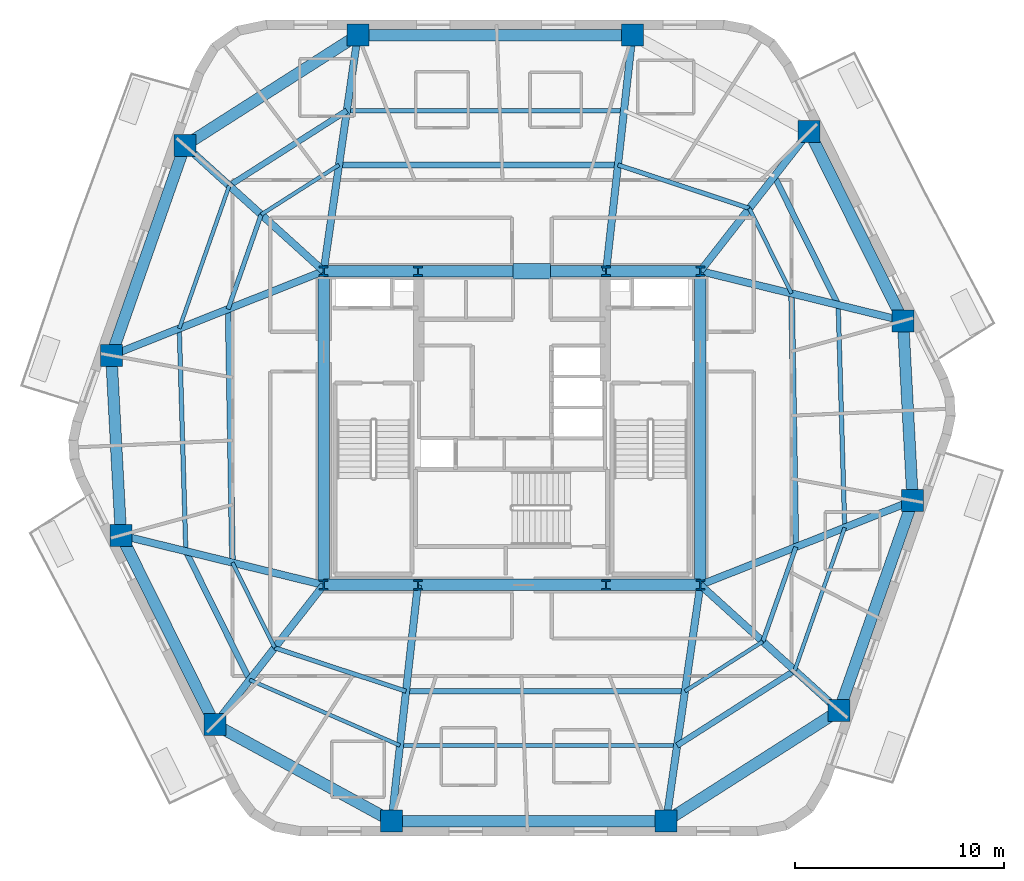
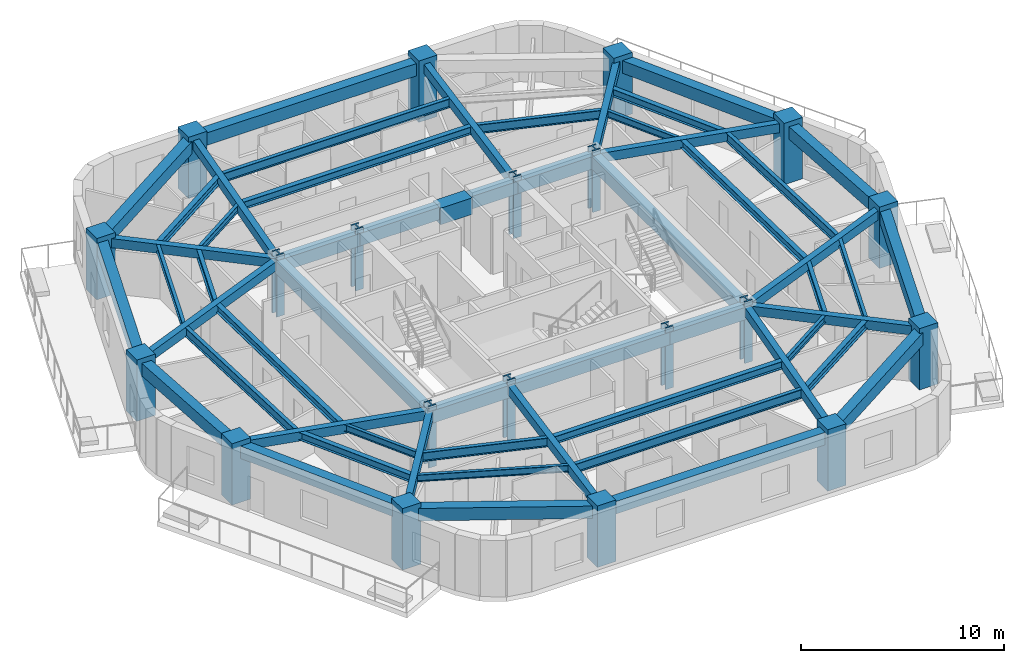
# One storey, part 1 of 10: 55 beams, 20 columns.
"""IFC4 building model written with IfcOpenShell, lengths in metres."""

from ifc_helpers import new_model, si_unit, direction, frame, origin, origin_2d, place, context, subcontext, project, spatial, rectangle, i_section, extrude, material, material_profile, profile_set, type_object, element, save


model = new_model("IFC4")

# Units and contexts
model_context = context("Model", 3, precision=1e-05, world=origin(), true_north=direction((0.0, 1.0)))
body_context = subcontext(model_context, "Body", "Model", "MODEL_VIEW")
ifc_project = project(units=[si_unit("LENGTHUNIT", "METRE"), si_unit("AREAUNIT", "SQUARE_METRE"), si_unit("VOLUMEUNIT", "CUBIC_METRE"), si_unit("PLANEANGLEUNIT", "RADIAN"), si_unit("MASSUNIT", "GRAM", prefix="KILO")], contexts=[model_context])

# Site, building, storey
site_placement = place(None, origin())
site = spatial("IfcSite", under=ifc_project, at=site_placement, CompositionType="ELEMENT")
building_placement = place(site_placement, origin())
building = spatial("IfcBuilding", under=site, at=building_placement, Name="Kilnhurst Terrace Hotel", CompositionType="ELEMENT")
storey_placement = place(building_placement, frame((0.0, 0.0, 179.300048828125)))
storey = spatial("IfcBuildingStorey", under=building, at=storey_placement, Name="L44", CompositionType="ELEMENT", Elevation=179.300048828125)

# Columns
ifc_material_1 = material(Name="Concrete C80/95", Category="concrete")
ifc_material_profile_1 = material_profile(ifc_material_1, rectangle(XDim=1.050048828125, YDim=1.050048828125, at=origin_2d()), Name="RC1050X1050")
ifc_profile_set_1 = profile_set([ifc_material_profile_1], Name="Concrete C80/95")
column_type_1 = type_object("IfcColumnType", Name="COL-RC-1050", PredefinedType="COLUMN", material=ifc_profile_set_1)
for number, where, z_axis, x_axis, name in (
    (1, (-5.7548828125, -18.780029296875, 0.0), (0.0, 0.0, 1.0), (1.0, 0.0, 0.0), "L44 Structural Column PC-F11"),
    (2, (7.368896484375, -18.780029296875, 0.0), (0.0, 0.0, 1.0), (1.0, 0.0, 0.0), "L44 Structural Column PC-F12"),
    (3, (15.633056640625, -13.5048828125, 0.0), (0.0, 0.0, 1.0), (1.0, 0.0, 0.0), "L44 Structural Column PC-F21"),
    (4, (19.14794921875, -3.467041015625, 0.0), (0.0, 0.0, 1.0), (1.0, 0.0, 0.0), "L44 Structural Column PC-F22"),
    (5, (18.68701171875, 5.1240234375, 0.0), (0.0, 0.0, 1.0), (1.0, 0.0, 0.0), "L44 Structural Column PC-F31"),
    (6, (14.2041015625, 14.166015625, 0.0), (0.0, 0.0, 1.0), (1.0, 0.0, 0.0), "L44 Structural Column PC-F32"),
    (7, (5.7548828125, 18.780029296875, 0.0), (0.0, 0.0, 1.0), (1.0, 0.0, 0.0), "L44 Structural Column PC-F41"),
    (8, (-7.368896484375, 18.780029296875, 0.0), (0.0, 0.0, 1.0), (1.0, 0.0, 0.0), "L44 Structural Column PC-F42"),
    (9, (-15.633056640625, 13.5048828125, 0.0), (0.0, 0.0, 1.0), (1.0, 0.0, 0.0), "L44 Structural Column PC-F51"),
    (10, (-19.14794921875, 3.467041015625, 0.0), (0.0, 0.0, 1.0), (1.0, 0.0, 0.0), "L44 Structural Column PC-F52"),
    (11, (-18.68701171875, -5.1240234375, 0.0), (0.0, 0.0, 1.0), (1.0, 0.0, 0.0), "L44 Structural Column PC-F61"),
    (12, (-14.2041015625, -14.166015625, 0.0), (0.0, 0.0, 1.0), (1.0, 0.0, 0.0), "L44 Structural Column PC-F62"),
):
    element("IfcColumn", number, at=place(storey_placement, frame(where, z_axis=z_axis, x_axis=x_axis)), inside=storey, type_object=column_type_1, Name=name, PredefinedType="COLUMN", context=body_context, shape_type="SweptSolid", body=[
        extrude(rectangle(XDim=1.050048828125, YDim=1.050048828125, at=origin_2d()), origin(), (0.0, 0.0, 1.0), 3.699951171875),
    ])
ifc_material_2 = material(Name="Steel ASTM A992 Grade 50", Category="steel")
ifc_material_profile_2 = material_profile(ifc_material_2, i_section(OverallWidth=0.43212890625, OverallDepth=0.497802734375, WebThickness=0.0556640625, FlangeThickness=0.0888671875, at=origin_2d()), Name="W14X500")
ifc_profile_set_2 = profile_set([ifc_material_profile_2], Name="Steel ASTM A992 Grade 50")
column_type_2 = type_object("IfcColumnType", Name="COL-STL-W14X500", PredefinedType="COLUMN", material=ifc_profile_set_2)
for number, where, z_axis, x_axis, name in (
    (13, (-9.0, -7.5, 0.0), (0.0, 0.0, 1.0), (1.0, 0.0, 0.0), "L44 Structural Column CC-SW"),
    (14, (-4.5, -7.5, 0.0), (0.0, 0.0, 1.0), (1.0, 0.0, 0.0), "L44 Structural Column CC-SC1"),
    (15, (4.5, -7.5, 0.0), (0.0, 0.0, 1.0), (1.0, 0.0, 0.0), "L44 Structural Column CC-SC2"),
    (16, (9.0, -7.5, 0.0), (0.0, 0.0, 1.0), (1.0, 0.0, 0.0), "L44 Structural Column CC-SE"),
    (17, (9.0, 7.5, 0.0), (0.0, 0.0, 1.0), (1.0, 0.0, 0.0), "L44 Structural Column CC-NE"),
    (18, (4.5, 7.5, 0.0), (0.0, 0.0, 1.0), (1.0, 0.0, 0.0), "L44 Structural Column CC-NC2"),
    (19, (-4.5, 7.5, 0.0), (0.0, 0.0, 1.0), (1.0, 0.0, 0.0), "L44 Structural Column CC-NC1"),
    (20, (-9.0, 7.5, 0.0), (0.0, 0.0, 1.0), (1.0, 0.0, 0.0), "L44 Structural Column CC-NW"),
):
    element("IfcColumn", number, at=place(storey_placement, frame(where, z_axis=z_axis, x_axis=x_axis)), inside=storey, type_object=column_type_2, Name=name, PredefinedType="COLUMN", context=body_context, shape_type="SweptSolid", body=[
        extrude(i_section(OverallWidth=0.43212890625, OverallDepth=0.497802734375, WebThickness=0.0556640625, FlangeThickness=0.0888671875, at=origin_2d()), origin(), (0.0, 0.0, 1.0), 3.699951171875),
    ])

# Beams
ifc_material_3 = material(Name="Concrete C50/60", Category="concrete")
ifc_material_profile_3 = material_profile(ifc_material_3, rectangle(XDim=0.35009765625, YDim=0.550048828125, at=origin_2d()), Name="RC350X550")
ifc_profile_set_3 = profile_set([ifc_material_profile_3], Name="Concrete C50/60")
beam_type_1 = type_object("IfcBeamType", Name="BM-RAD-350X550", PredefinedType="BEAM", material=ifc_profile_set_3)
beam_1_placement = place(storey_placement, frame((-4.5, -7.5, 3.125), z_axis=(-0.110566099441, -0.993868772854, 0.0), x_axis=(0.993868772854, -0.110566099441, 0.0)))
element("IfcBeam", 21, at=beam_1_placement, inside=storey, type_object=beam_type_1, Name="L44 Radial Floor Beam 1", PredefinedType="BEAM", context=body_context, shape_type="SweptSolid", body=[
    extrude(rectangle(XDim=0.35009765625, YDim=0.550048828125, at=origin_2d()), origin(), (0.0, 0.0, 1.0), 11.349609375),
])
beam_2_placement = place(storey_placement, frame((9.0, -7.5, 3.125), z_axis=(-0.143112538238, -0.989706421824, 0.0), x_axis=(0.989706421824, -0.143112538238, 0.0)))
element("IfcBeam", 22, at=beam_2_placement, inside=storey, type_object=beam_type_1, Name="L44 Radial Floor Beam 2", PredefinedType="BEAM", context=body_context, shape_type="SweptSolid", body=[
    extrude(rectangle(XDim=0.35009765625, YDim=0.550048828125, at=origin_2d()), origin(), (0.0, 0.0, 1.0), 11.3974609375),
])
beam_3_placement = place(storey_placement, frame((9.0, -7.5, 3.125), z_axis=(0.741338585645, -0.671131210296, 0.0), x_axis=(0.671131210296, 0.741338585645, 0.0)))
element("IfcBeam", 23, at=beam_3_placement, inside=storey, type_object=beam_type_1, Name="L44 Radial Floor Beam 3", PredefinedType="BEAM", context=body_context, shape_type="SweptSolid", body=[
    extrude(rectangle(XDim=0.35009765625, YDim=0.550048828125, at=origin_2d()), origin(), (0.0, 0.0, 1.0), 8.947509765625),
])
beam_4_placement = place(storey_placement, frame((9.0, -7.5, 3.125), z_axis=(0.929302373458, 0.369319778356, 0.0), x_axis=(-0.369319778356, 0.929302373458, 0.0)))
element("IfcBeam", 24, at=beam_4_placement, inside=storey, type_object=beam_type_1, Name="L44 Radial Floor Beam 4", PredefinedType="BEAM", context=body_context, shape_type="SweptSolid", body=[
    extrude(rectangle(XDim=0.35009765625, YDim=0.550048828125, at=origin_2d()), origin(), (0.0, 0.0, 1.0), 10.919921875),
])
beam_5_placement = place(storey_placement, frame((9.0, 7.5, 3.125), z_axis=(0.971212767405, -0.238213686486, 0.0), x_axis=(0.238213686486, 0.971212767405, 0.0)))
element("IfcBeam", 25, at=beam_5_placement, inside=storey, type_object=beam_type_1, Name="L44 Radial Floor Beam 5", PredefinedType="BEAM", context=body_context, shape_type="SweptSolid", body=[
    extrude(rectangle(XDim=0.35009765625, YDim=0.550048828125, at=origin_2d()), origin(), (0.0, 0.0, 1.0), 9.97412109375),
])
beam_6_placement = place(storey_placement, frame((9.0, 7.5, 3.125), z_axis=(0.615370616457, 0.78823791104, 0.0), x_axis=(-0.78823791104, 0.615370616457, 0.0)))
element("IfcBeam", 26, at=beam_6_placement, inside=storey, type_object=beam_type_1, Name="L44 Radial Floor Beam 6", PredefinedType="BEAM", context=body_context, shape_type="SweptSolid", body=[
    extrude(rectangle(XDim=0.35009765625, YDim=0.550048828125, at=origin_2d()), origin(), (0.0, 0.0, 1.0), 8.456787109375),
])
beam_7_placement = place(storey_placement, frame((4.5, 7.5, 3.125), z_axis=(0.110566099441, 0.993868772854, 0.0), x_axis=(-0.993868772854, 0.110566099441, 0.0)))
element("IfcBeam", 27, at=beam_7_placement, inside=storey, type_object=beam_type_1, Name="L44 Radial Floor Beam 7", PredefinedType="BEAM", context=body_context, shape_type="SweptSolid", body=[
    extrude(rectangle(XDim=0.35009765625, YDim=0.550048828125, at=origin_2d()), origin(), (0.0, 0.0, 1.0), 11.349609375),
])
beam_8_placement = place(storey_placement, frame((-9.0, 7.5, 3.125), z_axis=(0.143112538238, 0.989706421824, 0.0), x_axis=(-0.989706421824, 0.143112538238, 0.0)))
element("IfcBeam", 28, at=beam_8_placement, inside=storey, type_object=beam_type_1, Name="L44 Radial Floor Beam 8", PredefinedType="BEAM", context=body_context, shape_type="SweptSolid", body=[
    extrude(rectangle(XDim=0.35009765625, YDim=0.550048828125, at=origin_2d()), origin(), (0.0, 0.0, 1.0), 11.3974609375),
])
beam_9_placement = place(storey_placement, frame((-9.0, 7.5, 3.125), z_axis=(-0.741338585645, 0.671131210296, 0.0), x_axis=(-0.671131210296, -0.741338585645, 0.0)))
element("IfcBeam", 29, at=beam_9_placement, inside=storey, type_object=beam_type_1, Name="L44 Radial Floor Beam 9", PredefinedType="BEAM", context=body_context, shape_type="SweptSolid", body=[
    extrude(rectangle(XDim=0.35009765625, YDim=0.550048828125, at=origin_2d()), origin(), (0.0, 0.0, 1.0), 8.947509765625),
])
beam_10_placement = place(storey_placement, frame((-9.0, 7.5, 3.125), z_axis=(-0.929302373458, -0.369319778356, 0.0), x_axis=(0.369319778356, -0.929302373458, 0.0)))
element("IfcBeam", 30, at=beam_10_placement, inside=storey, type_object=beam_type_1, Name="L44 Radial Floor Beam 10", PredefinedType="BEAM", context=body_context, shape_type="SweptSolid", body=[
    extrude(rectangle(XDim=0.35009765625, YDim=0.550048828125, at=origin_2d()), origin(), (0.0, 0.0, 1.0), 10.919921875),
])
beam_11_placement = place(storey_placement, frame((-9.0, -7.5, 3.125), z_axis=(-0.971212767405, 0.238213686486, 0.0), x_axis=(-0.238213686486, -0.971212767405, 0.0)))
element("IfcBeam", 31, at=beam_11_placement, inside=storey, type_object=beam_type_1, Name="L44 Radial Floor Beam 11", PredefinedType="BEAM", context=body_context, shape_type="SweptSolid", body=[
    extrude(rectangle(XDim=0.35009765625, YDim=0.550048828125, at=origin_2d()), origin(), (0.0, 0.0, 1.0), 9.97412109375),
])
beam_12_placement = place(storey_placement, frame((-9.0, -7.5, 3.125), z_axis=(-0.615370616457, -0.78823791104, 0.0), x_axis=(0.78823791104, -0.615370616457, 0.0)))
element("IfcBeam", 32, at=beam_12_placement, inside=storey, type_object=beam_type_1, Name="L44 Radial Floor Beam 12", PredefinedType="BEAM", context=body_context, shape_type="SweptSolid", body=[
    extrude(rectangle(XDim=0.35009765625, YDim=0.550048828125, at=origin_2d()), origin(), (0.0, 0.0, 1.0), 8.456787109375),
])
ifc_material_profile_4 = material_profile(ifc_material_3, rectangle(XDim=0.550048828125, YDim=0.75, at=origin_2d()), Name="RC550X750")
ifc_profile_set_4 = profile_set([ifc_material_profile_4], Name="Concrete C50/60")
beam_type_2 = type_object("IfcBeamType", Name="BM-SPN-550X750", PredefinedType="SPANDREL", material=ifc_profile_set_4)
beam_13_placement = place(storey_placement, frame((-9.0, 7.5, 3.02490234375), z_axis=(1.0, 0.0, 0.0), x_axis=(0.0, 1.0, 0.0)))
element("IfcBeam", 33, at=beam_13_placement, inside=storey, type_object=beam_type_2, Name="L44 Core Tie Beam CC-NW to CC-NC1", PredefinedType="SPANDREL", context=body_context, shape_type="SweptSolid", body=[
    extrude(rectangle(XDim=0.550048828125, YDim=0.75, at=origin_2d()), origin(), (0.0, 0.0, 1.0), 4.5),
])
beam_14_placement = place(storey_placement, frame((-4.5, 7.5, 3.02490234375), z_axis=(1.0, 0.0, 0.0), x_axis=(0.0, 1.0, 0.0)))
element("IfcBeam", 34, at=beam_14_placement, inside=storey, type_object=beam_type_2, Name="L44 Core Tie Beam CC-NC1 to CC-NC2", PredefinedType="SPANDREL", context=body_context, shape_type="SweptSolid", body=[
    extrude(rectangle(XDim=0.550048828125, YDim=0.75, at=origin_2d()), origin(), (0.0, 0.0, 1.0), 9.0),
])
for number, where, z_axis, x_axis, name in (
    (35, (4.5, 7.5, 3.02490234375), (1.0, 0.0, 0.0), (0.0, 1.0, 0.0), "L44 Core Tie Beam CC-NC2 to CC-NE"),
    (36, (-9.0, -7.5, 3.02490234375), (1.0, 0.0, 0.0), (0.0, 1.0, 0.0), "L44 Core Tie Beam CC-SW to CC-SC1"),
):
    element("IfcBeam", number, at=place(storey_placement, frame(where, z_axis=z_axis, x_axis=x_axis)), inside=storey, type_object=beam_type_2, Name=name, PredefinedType="SPANDREL", context=body_context, shape_type="SweptSolid", body=[
        extrude(rectangle(XDim=0.550048828125, YDim=0.75, at=origin_2d()), origin(), (0.0, 0.0, 1.0), 4.5),
    ])
beam_15_placement = place(storey_placement, frame((-4.5, -7.5, 3.02490234375), z_axis=(1.0, 0.0, 0.0), x_axis=(0.0, 1.0, 0.0)))
element("IfcBeam", 37, at=beam_15_placement, inside=storey, type_object=beam_type_2, Name="L44 Core Tie Beam CC-SC1 to CC-SC2", PredefinedType="SPANDREL", context=body_context, shape_type="SweptSolid", body=[
    extrude(rectangle(XDim=0.550048828125, YDim=0.75, at=origin_2d()), origin(), (0.0, 0.0, 1.0), 9.0),
])
beam_16_placement = place(storey_placement, frame((4.5, -7.5, 3.02490234375), z_axis=(1.0, 0.0, 0.0), x_axis=(0.0, 1.0, 0.0)))
element("IfcBeam", 38, at=beam_16_placement, inside=storey, type_object=beam_type_2, Name="L44 Core Tie Beam CC-SC2 to CC-SE", PredefinedType="SPANDREL", context=body_context, shape_type="SweptSolid", body=[
    extrude(rectangle(XDim=0.550048828125, YDim=0.75, at=origin_2d()), origin(), (0.0, 0.0, 1.0), 4.5),
])
for number, where, z_axis, x_axis, name in (
    (39, (-9.0, -7.5, 3.02490234375), (0.0, 1.0, 0.0), (-1.0, 0.0, 0.0), "L44 Core Tie Beam CC-SW to CC-NW"),
    (40, (9.0, -7.5, 3.02490234375), (0.0, 1.0, 0.0), (-1.0, 0.0, 0.0), "L44 Core Tie Beam CC-SE to CC-NE"),
):
    element("IfcBeam", number, at=place(storey_placement, frame(where, z_axis=z_axis, x_axis=x_axis)), inside=storey, type_object=beam_type_2, Name=name, PredefinedType="SPANDREL", context=body_context, shape_type="SweptSolid", body=[
        extrude(rectangle(XDim=0.550048828125, YDim=0.75, at=origin_2d()), origin(), (0.0, 0.0, 1.0), 15.0),
    ])
beam_17_placement = place(storey_placement, frame((-5.7548828125, -18.780029296875, 3.02490234375), z_axis=(1.0, 0.0, 0.0), x_axis=(0.0, 1.0, 0.0)))
element("IfcBeam", 41, at=beam_17_placement, inside=storey, type_object=beam_type_2, Name="L44 Perimeter Spandrel Beam 1", PredefinedType="SPANDREL", context=body_context, shape_type="SweptSolid", body=[
    extrude(rectangle(XDim=0.550048828125, YDim=0.75, at=origin_2d()), origin(), (0.0, 0.0, 1.0), 13.123779296875),
])
beam_18_placement = place(storey_placement, frame((7.368896484375, -18.780029296875, 3.02490234375), z_axis=(0.842915241256, 0.538046369803, 0.0), x_axis=(-0.538046369803, 0.842915241256, 0.0)))
element("IfcBeam", 42, at=beam_18_placement, inside=storey, type_object=beam_type_2, Name="L44 Perimeter Spandrel Beam 2", PredefinedType="SPANDREL", context=body_context, shape_type="SweptSolid", body=[
    extrude(rectangle(XDim=0.550048828125, YDim=0.75, at=origin_2d()), origin(), (0.0, 0.0, 1.0), 9.80419921875),
])
beam_19_placement = place(storey_placement, frame((15.633056640625, -13.5048828125, 3.02490234375), z_axis=(0.330488460168, 0.943810032632, 0.0), x_axis=(-0.943810032632, 0.330488460168, 0.0)))
element("IfcBeam", 43, at=beam_19_placement, inside=storey, type_object=beam_type_2, Name="L44 Perimeter Spandrel Beam 3", PredefinedType="SPANDREL", context=body_context, shape_type="SweptSolid", body=[
    extrude(rectangle(XDim=0.550048828125, YDim=0.75, at=origin_2d()), origin(), (0.0, 0.0, 1.0), 10.635498046875),
])
beam_20_placement = place(storey_placement, frame((19.14794921875, -3.467041015625, 3.02490234375), z_axis=(-0.053576072051, 0.998563770875, 0.0), x_axis=(-0.998563770875, -0.053576072051, 0.0)))
element("IfcBeam", 44, at=beam_20_placement, inside=storey, type_object=beam_type_2, Name="L44 Perimeter Spandrel Beam 4", PredefinedType="SPANDREL", context=body_context, shape_type="SweptSolid", body=[
    extrude(rectangle(XDim=0.550048828125, YDim=0.75, at=origin_2d()), origin(), (0.0, 0.0, 1.0), 8.603515625),
])
beam_21_placement = place(storey_placement, frame((18.68701171875, 5.1240234375, 3.02490234375), z_axis=(-0.444192032261, 0.895931603682, 0.0), x_axis=(-0.895931603682, -0.444192032261, 0.0)))
element("IfcBeam", 45, at=beam_21_placement, inside=storey, type_object=beam_type_2, Name="L44 Perimeter Spandrel Beam 5", PredefinedType="SPANDREL", context=body_context, shape_type="SweptSolid", body=[
    extrude(rectangle(XDim=0.550048828125, YDim=0.75, at=origin_2d()), origin(), (0.0, 0.0, 1.0), 10.09228515625),
])
beam_22_placement = place(storey_placement, frame((5.7548828125, 18.780029296875, 3.02490234375), z_axis=(-1.0, 0.0, 0.0), x_axis=(0.0, -1.0, 0.0)))
element("IfcBeam", 46, at=beam_22_placement, inside=storey, type_object=beam_type_2, Name="L44 Perimeter Spandrel Beam 7", PredefinedType="SPANDREL", context=body_context, shape_type="SweptSolid", body=[
    extrude(rectangle(XDim=0.550048828125, YDim=0.75, at=origin_2d()), origin(), (0.0, 0.0, 1.0), 13.123779296875),
])
beam_23_placement = place(storey_placement, frame((-7.368896484375, 18.780029296875, 3.02490234375), z_axis=(-0.842915241256, -0.538046369803, 0.0), x_axis=(0.538046369803, -0.842915241256, 0.0)))
element("IfcBeam", 47, at=beam_23_placement, inside=storey, type_object=beam_type_2, Name="L44 Perimeter Spandrel Beam 8", PredefinedType="SPANDREL", context=body_context, shape_type="SweptSolid", body=[
    extrude(rectangle(XDim=0.550048828125, YDim=0.75, at=origin_2d()), origin(), (0.0, 0.0, 1.0), 9.80419921875),
])
beam_24_placement = place(storey_placement, frame((-15.633056640625, 13.5048828125, 3.02490234375), z_axis=(-0.330488460168, -0.943810032632, 0.0), x_axis=(0.943810032632, -0.330488460168, 0.0)))
element("IfcBeam", 48, at=beam_24_placement, inside=storey, type_object=beam_type_2, Name="L44 Perimeter Spandrel Beam 9", PredefinedType="SPANDREL", context=body_context, shape_type="SweptSolid", body=[
    extrude(rectangle(XDim=0.550048828125, YDim=0.75, at=origin_2d()), origin(), (0.0, 0.0, 1.0), 10.635498046875),
])
beam_25_placement = place(storey_placement, frame((-19.14794921875, 3.467041015625, 3.02490234375), z_axis=(0.053576072051, -0.998563770875, 0.0), x_axis=(0.998563770875, 0.053576072051, 0.0)))
element("IfcBeam", 49, at=beam_25_placement, inside=storey, type_object=beam_type_2, Name="L44 Perimeter Spandrel Beam 10", PredefinedType="SPANDREL", context=body_context, shape_type="SweptSolid", body=[
    extrude(rectangle(XDim=0.550048828125, YDim=0.75, at=origin_2d()), origin(), (0.0, 0.0, 1.0), 8.603515625),
])
beam_26_placement = place(storey_placement, frame((-18.68701171875, -5.1240234375, 3.02490234375), z_axis=(0.444192032261, -0.895931603682, 0.0), x_axis=(0.895931603682, 0.444192032261, 0.0)))
element("IfcBeam", 50, at=beam_26_placement, inside=storey, type_object=beam_type_2, Name="L44 Perimeter Spandrel Beam 11", PredefinedType="SPANDREL", context=body_context, shape_type="SweptSolid", body=[
    extrude(rectangle(XDim=0.550048828125, YDim=0.75, at=origin_2d()), origin(), (0.0, 0.0, 1.0), 10.09228515625),
])
beam_27_placement = place(storey_placement, frame((-14.2041015625, -14.166015625, 3.02490234375), z_axis=(0.87766189723, -0.479280287672, 0.0), x_axis=(0.479280287672, 0.87766189723, 0.0)))
element("IfcBeam", 51, at=beam_27_placement, inside=storey, type_object=beam_type_2, Name="L44 Perimeter Spandrel Beam 12", PredefinedType="SPANDREL", context=body_context, shape_type="SweptSolid", body=[
    extrude(rectangle(XDim=0.550048828125, YDim=0.75, at=origin_2d()), origin(), (0.0, 0.0, 1.0), 9.626953125),
])
ifc_material_profile_5 = material_profile(ifc_material_2, i_section(OverallWidth=0.180908203125, OverallDepth=0.417236328125, WebThickness=0.010986328125, FlangeThickness=0.018310546875, at=origin_2d()), Name="W16X57")
ifc_profile_set_5 = profile_set([ifc_material_profile_5], Name="Steel ASTM A992 Grade 50")
beam_type_3 = type_object("IfcBeamType", Name="JST-STL-W16X57", PredefinedType="JOIST", material=ifc_profile_set_5)
for number, where, z_axis, x_axis, name in (
    (52, (13.510498046875, -11.58349609375, 3.19091796875), (0.330481239411, 0.943812561051, 0.0), (-0.943812561051, 0.330481239411, 0.0), "L44 Secondary Floor Steel Joist OUT.3"),
    (53, (-13.510498046875, 11.58349609375, 3.19091796875), (-0.330481239411, -0.943812561051, 0.0), (0.943812561051, -0.330481239411, 0.0), "L44 Secondary Floor Steel Joist OUT.9"),
):
    element("IfcBeam", number, at=place(storey_placement, frame(where, z_axis=z_axis, x_axis=x_axis)), inside=storey, type_object=beam_type_3, Name=name, PredefinedType="JOIST", context=body_context, shape_type="SweptSolid", body=[
        extrude(i_section(OverallWidth=0.180908203125, OverallDepth=0.417236328125, WebThickness=0.010986328125, FlangeThickness=0.018310546875, at=origin_2d()), origin(), (0.0, 0.0, 1.0), 7.232177734375),
    ])
beam_28_placement = place(storey_placement, frame((-12.538818359375, -12.032958984375, 3.19091796875), z_axis=(0.916443679054, -0.400163695407, 0.0), x_axis=(0.400163695407, 0.916443679054, 0.0)))
element("IfcBeam", 54, at=beam_28_placement, inside=storey, type_object=beam_type_3, Name="L44 Secondary Floor Steel Joist OUT.12", PredefinedType="JOIST", context=body_context, shape_type="SweptSolid", body=[
    extrude(i_section(OverallWidth=0.180908203125, OverallDepth=0.417236328125, WebThickness=0.010986328125, FlangeThickness=0.018310546875, at=origin_2d()), origin(), (0.0, 0.0, 1.0), 7.84033203125),
])
beam_29_placement = place(storey_placement, frame((8.26611328125, -12.575927734375, 3.19091796875), z_axis=(0.842910995806, 0.53805302076, 0.0), x_axis=(-0.53805302076, 0.842910995806, 0.0)))
element("IfcBeam", 55, at=beam_29_placement, inside=storey, type_object=beam_type_3, Name="L44 Secondary Floor Steel Joist IN.2", PredefinedType="JOIST", context=body_context, shape_type="SweptSolid", body=[
    extrude(i_section(OverallWidth=0.180908203125, OverallDepth=0.417236328125, WebThickness=0.010986328125, FlangeThickness=0.018310546875, at=origin_2d()), origin(), (0.0, 0.0, 1.0), 4.411865234375),
])
beam_30_placement = place(storey_placement, frame((13.359130859375, 6.430908203125, 3.19091796875), z_axis=(-0.444200626094, 0.895927342912, 0.0), x_axis=(-0.895927342912, -0.444200626094, 0.0)))
element("IfcBeam", 56, at=beam_30_placement, inside=storey, type_object=beam_type_3, Name="L44 Secondary Floor Steel Joist IN.5", PredefinedType="JOIST", context=body_context, shape_type="SweptSolid", body=[
    extrude(i_section(OverallWidth=0.180908203125, OverallDepth=0.417236328125, WebThickness=0.010986328125, FlangeThickness=0.018310546875, at=origin_2d()), origin(), (0.0, 0.0, 1.0), 4.54150390625),
])
beam_31_placement = place(storey_placement, frame((-8.26611328125, 12.575927734375, 3.19091796875), z_axis=(-0.842910995806, -0.53805302076, 0.0), x_axis=(0.53805302076, -0.842910995806, 0.0)))
element("IfcBeam", 57, at=beam_31_placement, inside=storey, type_object=beam_type_3, Name="L44 Secondary Floor Steel Joist IN.8", PredefinedType="JOIST", context=body_context, shape_type="SweptSolid", body=[
    extrude(i_section(OverallWidth=0.180908203125, OverallDepth=0.417236328125, WebThickness=0.010986328125, FlangeThickness=0.018310546875, at=origin_2d()), origin(), (0.0, 0.0, 1.0), 4.411865234375),
])
beam_32_placement = place(storey_placement, frame((-13.359130859375, -6.430908203125, 3.19091796875), z_axis=(0.444200626094, -0.895927342912, 0.0), x_axis=(0.895927342912, 0.444200626094, 0.0)))
element("IfcBeam", 58, at=beam_32_placement, inside=storey, type_object=beam_type_3, Name="L44 Secondary Floor Steel Joist IN.11", PredefinedType="JOIST", context=body_context, shape_type="SweptSolid", body=[
    extrude(i_section(OverallWidth=0.180908203125, OverallDepth=0.417236328125, WebThickness=0.010986328125, FlangeThickness=0.018310546875, at=origin_2d()), origin(), (0.0, 0.0, 1.0), 4.54150390625),
])
ifc_material_profile_6 = material_profile(ifc_material_2, i_section(OverallWidth=0.279296875, OverallDepth=0.462890625, WebThickness=0.0107421875, FlangeThickness=0.017333984375, at=origin_2d()), Name="W18X76")
ifc_profile_set_6 = profile_set([ifc_material_profile_6], Name="Steel ASTM A992 Grade 50")
beam_type_4 = type_object("IfcBeamType", Name="JST-STL-W18X76", PredefinedType="JOIST", material=ifc_profile_set_6)
beam_33_placement = place(storey_placement, frame((7.890869140625, -15.17041015625, 3.16796875), z_axis=(0.842927863369, 0.538026595213, 0.0), x_axis=(-0.538026595213, 0.842927863369, 0.0)))
element("IfcBeam", 59, at=beam_33_placement, inside=storey, type_object=beam_type_4, Name="L44 Secondary Floor Steel Joist OUT.2", PredefinedType="JOIST", context=body_context, shape_type="SweptSolid", body=[
    extrude(i_section(OverallWidth=0.279296875, OverallDepth=0.462890625, WebThickness=0.0107421875, FlangeThickness=0.017333984375, at=origin_2d()), origin(), (0.0, 0.0, 1.0), 6.666748046875),
])
beam_34_placement = place(storey_placement, frame((15.587158203125, 5.88427734375, 3.16796875), z_axis=(-0.444180101574, 0.895937518673, 0.0), x_axis=(-0.895937518673, -0.444180101574, 0.0)))
element("IfcBeam", 60, at=beam_34_placement, inside=storey, type_object=beam_type_4, Name="L44 Secondary Floor Steel Joist OUT.5", PredefinedType="JOIST", context=body_context, shape_type="SweptSolid", body=[
    extrude(i_section(OverallWidth=0.279296875, OverallDepth=0.462890625, WebThickness=0.0107421875, FlangeThickness=0.017333984375, at=origin_2d()), origin(), (0.0, 0.0, 1.0), 6.86279296875),
])
beam_35_placement = place(storey_placement, frame((-7.890869140625, 15.17041015625, 3.16796875), z_axis=(-0.842927863369, -0.538026595213, 0.0), x_axis=(0.538026595213, -0.842927863369, 0.0)))
element("IfcBeam", 61, at=beam_35_placement, inside=storey, type_object=beam_type_4, Name="L44 Secondary Floor Steel Joist OUT.8", PredefinedType="JOIST", context=body_context, shape_type="SweptSolid", body=[
    extrude(i_section(OverallWidth=0.279296875, OverallDepth=0.462890625, WebThickness=0.0107421875, FlangeThickness=0.017333984375, at=origin_2d()), origin(), (0.0, 0.0, 1.0), 6.666748046875),
])
beam_36_placement = place(storey_placement, frame((-15.587158203125, -5.88427734375, 3.16796875), z_axis=(0.444180101574, -0.895937518673, 0.0), x_axis=(0.895937518673, 0.444180101574, 0.0)))
element("IfcBeam", 62, at=beam_36_placement, inside=storey, type_object=beam_type_4, Name="L44 Secondary Floor Steel Joist OUT.11", PredefinedType="JOIST", context=body_context, shape_type="SweptSolid", body=[
    extrude(i_section(OverallWidth=0.279296875, OverallDepth=0.462890625, WebThickness=0.0107421875, FlangeThickness=0.017333984375, at=origin_2d()), origin(), (0.0, 0.0, 1.0), 6.86279296875),
])
beam_37_placement = place(storey_placement, frame((-5.064697265625, -12.575927734375, 3.16796875), z_axis=(1.0, 0.0, 0.0), x_axis=(0.0, 1.0, 0.0)))
element("IfcBeam", 63, at=beam_37_placement, inside=storey, type_object=beam_type_4, Name="L44 Secondary Floor Steel Joist IN.1", PredefinedType="JOIST", context=body_context, shape_type="SweptSolid", body=[
    extrude(i_section(OverallWidth=0.279296875, OverallDepth=0.462890625, WebThickness=0.0107421875, FlangeThickness=0.017333984375, at=origin_2d()), origin(), (0.0, 0.0, 1.0), 13.330810546875),
])
beam_38_placement = place(storey_placement, frame((13.566650390625, -5.685302734375, 3.16796875), z_axis=(-0.017124916462, 0.999853357866, 0.0), x_axis=(-0.999853357866, -0.017124916462, 0.0)))
element("IfcBeam", 64, at=beam_38_placement, inside=storey, type_object=beam_type_4, Name="L44 Secondary Floor Steel Joist IN.4", PredefinedType="JOIST", context=body_context, shape_type="SweptSolid", body=[
    extrude(i_section(OverallWidth=0.279296875, OverallDepth=0.462890625, WebThickness=0.0107421875, FlangeThickness=0.017333984375, at=origin_2d()), origin(), (0.0, 0.0, 1.0), 12.117919921875),
])
beam_39_placement = place(storey_placement, frame((5.064697265625, 12.575927734375, 3.16796875), z_axis=(-1.0, 0.0, 0.0), x_axis=(0.0, -1.0, 0.0)))
element("IfcBeam", 65, at=beam_39_placement, inside=storey, type_object=beam_type_4, Name="L44 Secondary Floor Steel Joist IN.7", PredefinedType="JOIST", context=body_context, shape_type="SweptSolid", body=[
    extrude(i_section(OverallWidth=0.279296875, OverallDepth=0.462890625, WebThickness=0.0107421875, FlangeThickness=0.017333984375, at=origin_2d()), origin(), (0.0, 0.0, 1.0), 13.330810546875),
])
beam_40_placement = place(storey_placement, frame((-13.566650390625, 5.685302734375, 3.16796875), z_axis=(0.017124916462, -0.999853357866, 0.0), x_axis=(0.999853357866, 0.017124916462, 0.0)))
element("IfcBeam", 66, at=beam_40_placement, inside=storey, type_object=beam_type_4, Name="L44 Secondary Floor Steel Joist IN.10", PredefinedType="JOIST", context=body_context, shape_type="SweptSolid", body=[
    extrude(i_section(OverallWidth=0.279296875, OverallDepth=0.462890625, WebThickness=0.0107421875, FlangeThickness=0.017333984375, at=origin_2d()), origin(), (0.0, 0.0, 1.0), 12.117919921875),
])
ifc_material_profile_7 = material_profile(ifc_material_2, i_section(OverallWidth=0.2138671875, OverallDepth=0.549072265625, WebThickness=0.0146484375, FlangeThickness=0.023681640625, at=origin_2d()), Name="W21X93")
ifc_profile_set_7 = profile_set([ifc_material_profile_7], Name="Steel ASTM A992 Grade 50")
beam_type_5 = type_object("IfcBeamType", Name="JST-STL-W21X93", PredefinedType="JOIST", material=ifc_profile_set_7)
beam_41_placement = place(storey_placement, frame((-5.353515625, -15.17041015625, 3.125), z_axis=(1.0, 0.0, 0.0), x_axis=(0.0, 1.0, 0.0)))
element("IfcBeam", 67, at=beam_41_placement, inside=storey, type_object=beam_type_5, Name="L44 Secondary Floor Steel Joist OUT.1", PredefinedType="JOIST", context=body_context, shape_type="SweptSolid", body=[
    extrude(i_section(OverallWidth=0.2138671875, OverallDepth=0.549072265625, WebThickness=0.0146484375, FlangeThickness=0.023681640625, at=origin_2d()), origin(), (0.0, 0.0, 1.0), 13.244384765625),
])
beam_42_placement = place(storey_placement, frame((15.900634765625, -4.757568359375, 3.125), z_axis=(-0.029444201298, 0.999566425512, 0.0), x_axis=(-0.999566425512, -0.029444201298, 0.0)))
element("IfcBeam", 68, at=beam_42_placement, inside=storey, type_object=beam_type_5, Name="L44 Secondary Floor Steel Joist OUT.4", PredefinedType="JOIST", context=body_context, shape_type="SweptSolid", body=[
    extrude(i_section(OverallWidth=0.2138671875, OverallDepth=0.549072265625, WebThickness=0.0146484375, FlangeThickness=0.023681640625, at=origin_2d()), origin(), (0.0, 0.0, 1.0), 10.646484375),
])
beam_43_placement = place(storey_placement, frame((5.353515625, 15.17041015625, 3.125), z_axis=(-1.0, 0.0, 0.0), x_axis=(0.0, -1.0, 0.0)))
element("IfcBeam", 69, at=beam_43_placement, inside=storey, type_object=beam_type_5, Name="L44 Secondary Floor Steel Joist OUT.7", PredefinedType="JOIST", context=body_context, shape_type="SweptSolid", body=[
    extrude(i_section(OverallWidth=0.2138671875, OverallDepth=0.549072265625, WebThickness=0.0146484375, FlangeThickness=0.023681640625, at=origin_2d()), origin(), (0.0, 0.0, 1.0), 13.244384765625),
])
beam_44_placement = place(storey_placement, frame((-15.900634765625, 4.757568359375, 3.125), z_axis=(0.029444201298, -0.999566425512, 0.0), x_axis=(0.999566425512, 0.029444201298, 0.0)))
element("IfcBeam", 70, at=beam_44_placement, inside=storey, type_object=beam_type_5, Name="L44 Secondary Floor Steel Joist OUT.10", PredefinedType="JOIST", context=body_context, shape_type="SweptSolid", body=[
    extrude(i_section(OverallWidth=0.2138671875, OverallDepth=0.549072265625, WebThickness=0.0146484375, FlangeThickness=0.023681640625, at=origin_2d()), origin(), (0.0, 0.0, 1.0), 10.646484375),
])
beam_45_placement = place(storey_placement, frame((11.98486328125, -10.2021484375, 3.125), z_axis=(0.330516298629, 0.943800284139, 0.0), x_axis=(-0.943800284139, 0.330516298629, 0.0)))
element("IfcBeam", 71, at=beam_45_placement, inside=storey, type_object=beam_type_5, Name="L44 Secondary Floor Steel Joist IN.3", PredefinedType="JOIST", context=body_context, shape_type="SweptSolid", body=[
    extrude(i_section(OverallWidth=0.2138671875, OverallDepth=0.549072265625, WebThickness=0.0146484375, FlangeThickness=0.023681640625, at=origin_2d()), origin(), (0.0, 0.0, 1.0), 4.785888671875),
])
beam_46_placement = place(storey_placement, frame((11.341796875, 10.499755859375, 3.125), z_axis=(-0.949415572736, 0.314022404051, 0.0), x_axis=(-0.314022404051, -0.949415572736, 0.0)))
element("IfcBeam", 72, at=beam_46_placement, inside=storey, type_object=beam_type_5, Name="L44 Secondary Floor Steel Joist IN.6", PredefinedType="JOIST", context=body_context, shape_type="SweptSolid", body=[
    extrude(i_section(OverallWidth=0.2138671875, OverallDepth=0.549072265625, WebThickness=0.0146484375, FlangeThickness=0.023681640625, at=origin_2d()), origin(), (0.0, 0.0, 1.0), 6.611572265625),
])
beam_47_placement = place(storey_placement, frame((-11.98486328125, 10.2021484375, 3.125), z_axis=(-0.330516298629, -0.943800284139, 0.0), x_axis=(0.943800284139, -0.330516298629, 0.0)))
element("IfcBeam", 73, at=beam_47_placement, inside=storey, type_object=beam_type_5, Name="L44 Secondary Floor Steel Joist IN.9", PredefinedType="JOIST", context=body_context, shape_type="SweptSolid", body=[
    extrude(i_section(OverallWidth=0.2138671875, OverallDepth=0.549072265625, WebThickness=0.0146484375, FlangeThickness=0.023681640625, at=origin_2d()), origin(), (0.0, 0.0, 1.0), 4.785888671875),
])
beam_48_placement = place(storey_placement, frame((-11.341796875, -10.499755859375, 3.125), z_axis=(0.949415572736, -0.314022404051, 0.0), x_axis=(0.314022404051, 0.949415572736, 0.0)))
element("IfcBeam", 74, at=beam_48_placement, inside=storey, type_object=beam_type_5, Name="L44 Secondary Floor Steel Joist IN.12", PredefinedType="JOIST", context=body_context, shape_type="SweptSolid", body=[
    extrude(i_section(OverallWidth=0.2138671875, OverallDepth=0.549072265625, WebThickness=0.0146484375, FlangeThickness=0.023681640625, at=origin_2d()), origin(), (0.0, 0.0, 1.0), 6.611572265625),
])
ifc_material_4 = material(Name="Concrete C60/75", Category="concrete")
ifc_material_profile_8 = material_profile(ifc_material_4, rectangle(XDim=0.75, YDim=1.0, at=origin_2d()), Name="RC750X1000")
ifc_profile_set_8 = profile_set([ifc_material_profile_8], Name="Concrete C60/75")
beam_type_6 = type_object("IfcBeamType", Name="LNT-CB-750X1000", PredefinedType="LINTEL", material=ifc_profile_set_8)
beam_49_placement = place(storey_placement, frame((0.050048828125, 7.5, 2.89990234375), z_axis=(1.0, 0.0, 0.0), x_axis=(0.0, 1.0, 0.0)))
element("IfcBeam", 75, at=beam_49_placement, inside=storey, type_object=beam_type_6, Name="L44 North Core Coupling Link Beam", PredefinedType="LINTEL", context=body_context, shape_type="SweptSolid", body=[
    extrude(rectangle(XDim=0.75, YDim=1.0, at=origin_2d()), origin(), (0.0, 0.0, 1.0), 1.800048828125),
])

save(model, "model.ifc")
